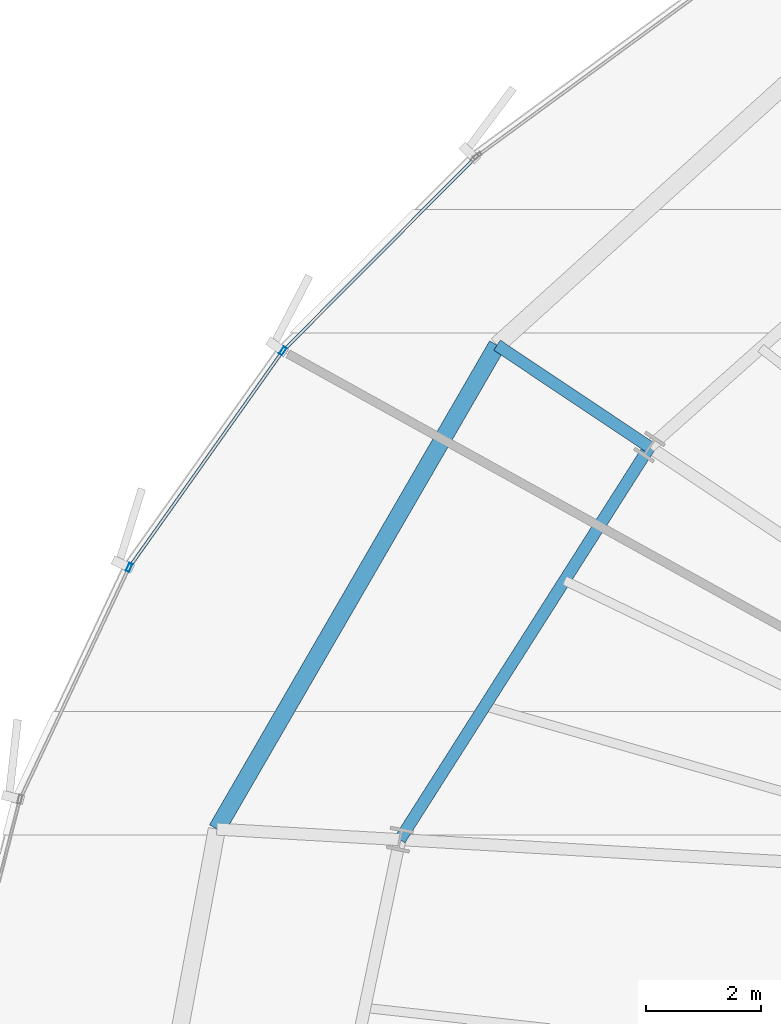
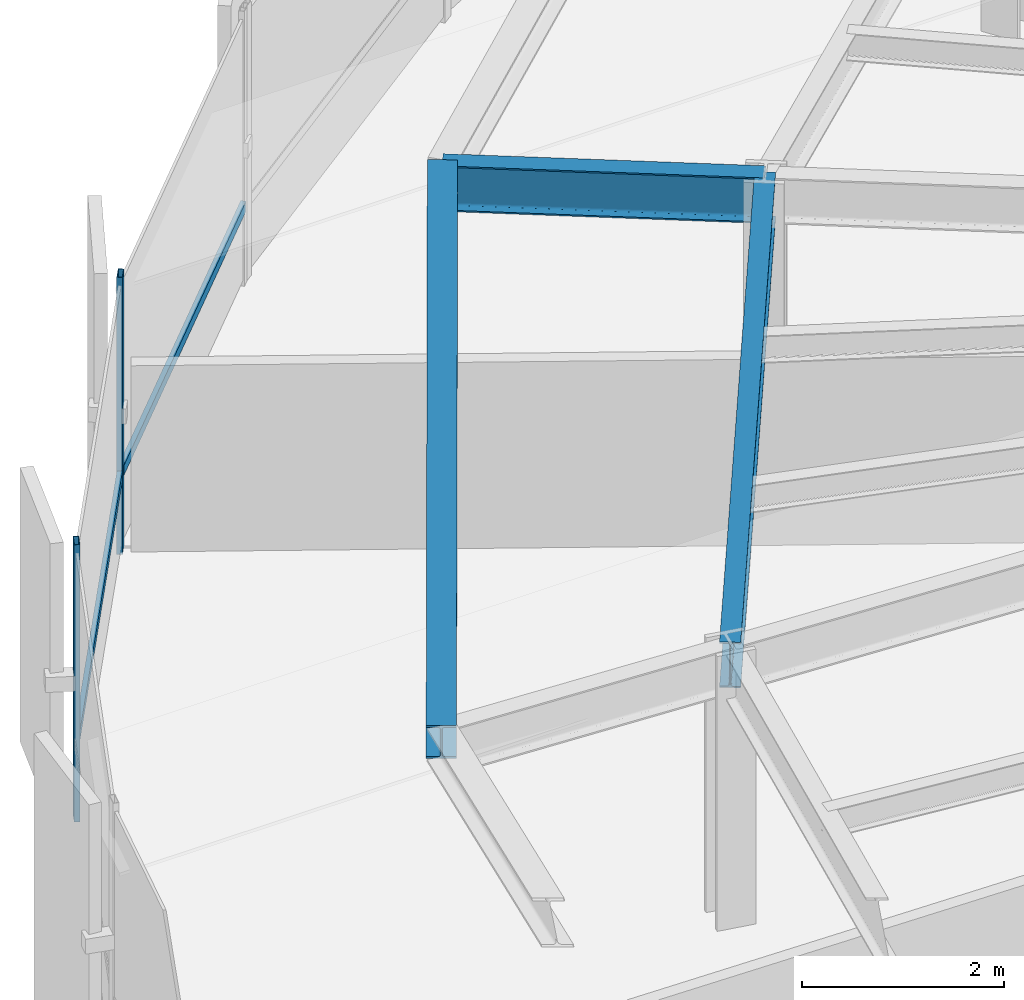
# One storey, part 17 of 35: 4 members, 3 beams, 1 element without a shape of its own.
"""IFC4 building model written with IfcOpenShell, lengths in metres."""

from ifc_helpers import new_model, si_unit, direction, frame, origin, origin_2d, place, context, subcontext, project, spatial, hollow_rectangle, i_section, extrude, source, transform, mapped, material, layer, layer_set, material_profile, profile_set, type_object, element, aggregate, save


model = new_model("IFC4")

# Units and contexts
model_context = context("Model", 3, precision=1e-05, world=origin(), true_north=direction((0.0, 1.0)))
body_context = subcontext(model_context, "Body", "Model", "MODEL_VIEW")
ifc_project = project(units=[si_unit("LENGTHUNIT", "METRE"), si_unit("AREAUNIT", "SQUARE_METRE"), si_unit("VOLUMEUNIT", "CUBIC_METRE"), si_unit("PLANEANGLEUNIT", "RADIAN"), si_unit("MASSUNIT", "GRAM", prefix="KILO"), si_unit("THERMODYNAMICTEMPERATUREUNIT", "KELVIN")], contexts=[model_context])

# Site, building, storey
site_placement = place(None, origin())
site = spatial("IfcSite", under=ifc_project, at=site_placement, CompositionType="ELEMENT")
building_placement = place(site_placement, origin())
building = spatial("IfcBuilding", under=site, at=building_placement, Name="Kethvar Cultural Tower", CompositionType="ELEMENT")
storey_placement = place(building_placement, frame((0.0, 0.0, 96.39990234375)))
storey = spatial("IfcBuildingStorey", under=building, at=storey_placement, Name="L23", CompositionType="ELEMENT", Elevation=96.39990234375)

# Beams
ifc_material_1 = material(Name="Steel S355J2", Category="steel")
ifc_material_profile_1 = material_profile(ifc_material_1, i_section(OverallWidth=0.2099609375, OverallDepth=0.550048828125, WebThickness=0.010986328125, FlangeThickness=0.01708984375, FilletRadius=0.02392578125, at=origin_2d()), Name="Steel S355J2 — IPE550")
ifc_profile_set_1 = profile_set([ifc_material_profile_1], Name="Steel S355J2 — IPE550")
beam_type_1 = type_object("IfcBeamType", Name="BM-IPE550", PredefinedType="BEAM", material=ifc_profile_set_1)
shared_shape_1 = source(origin(), body_context, "Body", "SweptSolid", [
    extrude(i_section(OverallWidth=0.2099609375, OverallDepth=0.550048828125, WebThickness=0.010986328125, FlangeThickness=0.01708984375, FilletRadius=0.02392578125, at=origin_2d()), origin(), (0.0, 0.0, 1.0), 3.199951171875),
])
beam_1_placement = place(storey_placement, frame((30.345947265625, 38.794189453125, 3.072998046875), z_axis=(-0.831462943996, 0.555580212716, 0.0), x_axis=(-0.555580212716, -0.831462943996, 0.0)))
element("IfcBeam", 1, at=beam_1_placement, inside=storey, type_object=beam_type_1, Name="L23 Perimeter Cantilever Beam RC-07", PredefinedType="BEAM", context=body_context, shape_type="MappedRepresentation", body=[
    mapped(shared_shape_1, transform((0.0, 0.0, 0.0), scale=1.0)),
])
shared_shape_2 = source(origin(), body_context, "Body", "SweptSolid", [
    extrude(i_section(OverallWidth=0.2099609375, OverallDepth=0.550048828125, WebThickness=0.010986328125, FlangeThickness=0.01708984375, FilletRadius=0.02392578125, at=origin_2d()), origin(), (0.0, 0.0, 1.0), 8.122314453125),
])
beam_2_placement = place(storey_placement, frame((30.345947265625, 38.794189453125, 3.072998046875), z_axis=(-0.536478664647, -0.843913883272, 0.0), x_axis=(0.843913883272, -0.536478664647, 0.0)))
element("IfcBeam", 2, at=beam_2_placement, inside=storey, type_object=beam_type_1, Name="L23 Column Ring Tie Beam CR-07", PredefinedType="BEAM", context=body_context, shape_type="MappedRepresentation", body=[
    mapped(shared_shape_2, transform((0.0, 0.0, 0.0), scale=1.0)),
])
ifc_material_profile_2 = material_profile(ifc_material_1, i_section(OverallWidth=0.300048828125, OverallDepth=0.39990234375, WebThickness=0.013427734375, FlangeThickness=0.02392578125, FilletRadius=0.027099609375, at=origin_2d()), Name="Steel S355J2 — HEB400")
ifc_profile_set_2 = profile_set([ifc_material_profile_2], Name="Steel S355J2 — HEB400")
beam_type_2 = type_object("IfcBeamType", Name="BM-SP400", PredefinedType="SPANDREL", material=ifc_profile_set_2)
shared_shape_3 = source(origin(), body_context, "Body", "SweptSolid", [
    extrude(i_section(OverallWidth=0.300048828125, OverallDepth=0.39990234375, WebThickness=0.013427734375, FlangeThickness=0.02392578125, FilletRadius=0.027099609375, at=origin_2d()), origin(), (0.0, 0.0, 1.0), 9.762939453125),
])
beam_3_placement = place(storey_placement, frame((27.685302734375, 40.572021484375, 3.148193359375), z_axis=(-0.501043170838, -0.865422290536, 0.0), x_axis=(0.865422290536, -0.501043170838, 0.0)))
element("IfcBeam", 3, at=beam_3_placement, inside=storey, type_object=beam_type_2, Name="L23 Perimeter Spandrel Beam SP-07", PredefinedType="SPANDREL", context=body_context, shape_type="MappedRepresentation", body=[
    mapped(shared_shape_3, transform((0.0, 0.0, 0.0), scale=1.0)),
])

# Curtain wall, members
ifc_material_2 = material(Name="Aluminium 6063-T6", Category="aluminium")
ifc_layer = layer(ifc_material_2, 0.179931640625, Name="Aluminium 6063-T6", Category="aluminium")
ifc_layer_set = layer_set([ifc_layer], Name="Aluminium 6063-T6 (180 mm)")
curtain_wall_type = type_object("IfcCurtainWallType", Name="CW-SYS-03-Z2", PredefinedType="NOTDEFINED", material=ifc_layer_set)
curtain_wall_placement = place(storey_placement, origin())
curtain_wall = element("IfcCurtainWall", 4, at=curtain_wall_placement, inside=storey, type_object=curtain_wall_type, Name="L23 Curtain Wall Run 03", PredefinedType="NOTDEFINED")
ifc_material_profile_3 = material_profile(ifc_material_2, hollow_rectangle(XDim=0.06005859375, YDim=0.14990234375, WallThickness=0.0048828125, at=origin_2d()), Name="Aluminium 6063-T6 — RHS150x60x5")
ifc_profile_set_3 = profile_set([ifc_material_profile_3], Name="Aluminium 6063-T6 — RHS150x60x5")
member_type_1 = type_object("IfcMemberType", Name="CW-SYS-03-Z2-MUL", PredefinedType="MULLION", material=ifc_profile_set_3)
shared_shape_4 = source(origin(), body_context, "Body", "SweptSolid", [
    extrude(hollow_rectangle(XDim=0.06005859375, YDim=0.14990234375, WallThickness=0.0048828125, at=origin_2d()), origin(), (0.0, 0.0, 1.0), 3.35009765625),
])
member_1_placement = place(storey_placement, frame((23.9453125, 40.47119140625, 0.0), z_axis=(0.0, 0.0, 1.0), x_axis=(0.815562311774, -0.578669262718, 0.0)))
member_1 = element("IfcMember", 5, at=member_1_placement, type_object=member_type_1, Name="CW-L23-R03 Mullion 2", PredefinedType="MULLION", context=body_context, shape_type="MappedRepresentation", body=[
    mapped(shared_shape_4, transform((0.0, 0.0, 0.0), scale=1.0)),
])
member_2_placement = place(storey_placement, frame((21.261962890625, 36.692138671875, 0.0), z_axis=(0.0, 0.0, 1.0), x_axis=(0.904812189414, -0.425810875728, 0.0)))
member_2 = element("IfcMember", 6, at=member_2_placement, type_object=member_type_1, Name="CW-L23-R03 Mullion 3", PredefinedType="MULLION", context=body_context, shape_type="MappedRepresentation", body=[
    mapped(shared_shape_4, transform((0.0, 0.0, 0.0), scale=1.0)),
])
ifc_material_profile_4 = material_profile(ifc_material_2, hollow_rectangle(XDim=0.054931640625, YDim=0.1201171875, WallThickness=0.00390625, at=origin_2d()), Name="Aluminium 6063-T6 — RHS120x55x4")
ifc_profile_set_4 = profile_set([ifc_material_profile_4], Name="Aluminium 6063-T6 — RHS120x55x4")
member_type_2 = type_object("IfcMemberType", Name="CW-SYS-03-Z2-TRN", PredefinedType="USERDEFINED", material=ifc_profile_set_4)
shared_shape_5 = source(origin(), body_context, "Body", "SweptSolid", [
    extrude(hollow_rectangle(XDim=0.054931640625, YDim=0.1201171875, WallThickness=0.00390625, at=origin_2d()), origin(), (0.0, 0.0, 1.0), 4.722412109375),
])
member_3_placement = place(storey_placement, frame((27.293701171875, 43.83544921875, 0.9501953125), z_axis=(-0.705165435549, -0.709042811477, 0.0), x_axis=(0.709042811477, -0.705165435549, 0.0)))
member_3 = element("IfcMember", 7, at=member_3_placement, type_object=member_type_2, Name="CW-L23-R03 Transom 1", ObjectType="TRANSOM", PredefinedType="USERDEFINED", context=body_context, shape_type="MappedRepresentation", body=[
    mapped(shared_shape_5, transform((0.0, 0.0, 0.0), scale=1.0)),
])
shared_shape_6 = source(origin(), body_context, "Body", "SweptSolid", [
    extrude(hollow_rectangle(XDim=0.054931640625, YDim=0.1201171875, WallThickness=0.00390625, at=origin_2d()), origin(), (0.0, 0.0, 1.0), 4.56884765625),
])
member_4_placement = place(storey_placement, frame((23.92041015625, 40.435791015625, 0.9501953125), z_axis=(-0.578672487156, -0.815560023915, 0.0), x_axis=(0.815560023915, -0.578672487156, 0.0)))
member_4 = element("IfcMember", 8, at=member_4_placement, type_object=member_type_2, Name="CW-L23-R03 Transom 2", ObjectType="TRANSOM", PredefinedType="USERDEFINED", context=body_context, shape_type="MappedRepresentation", body=[
    mapped(shared_shape_6, transform((0.0, 0.0, 0.0), scale=1.0)),
])
aggregate(curtain_wall, [member_1, member_2, member_3, member_4])

save(model, "model.ifc")
